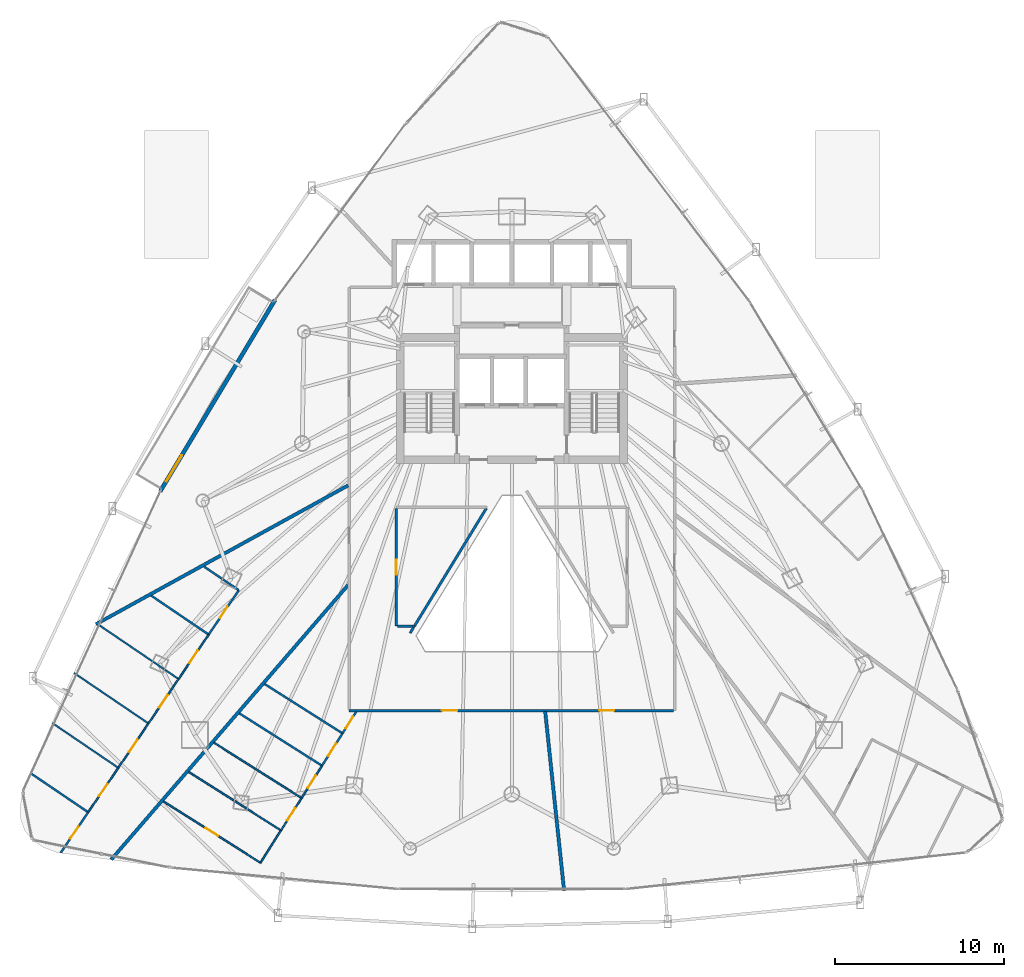
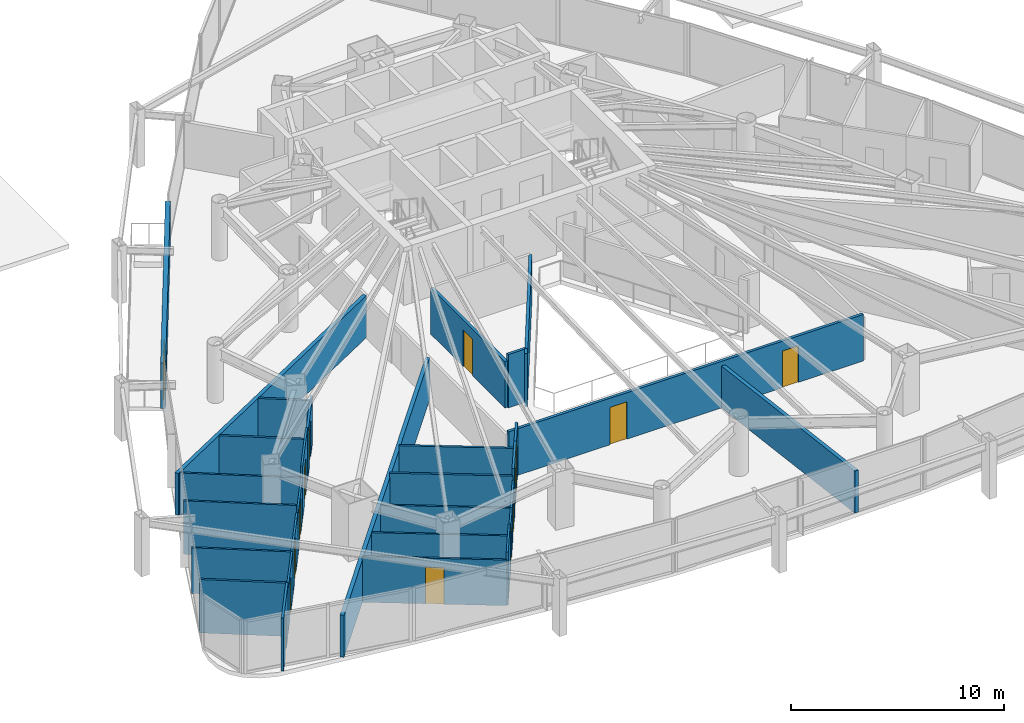
# One storey, part 29 of 35: 31 walls, 15 doors, 15 openings.
"""IFC4 building model written with IfcOpenShell, lengths in metres."""

import ifcopenshell
import ifcopenshell.guid

model = None  # the IFC model being written
_history = None  # IfcOwnerHistory: only IFC2X3 demands one
_inside = {}  # id of a spatial element -> (the spatial element, [elements in it])
_under = {}  # id of a project, library or spatial element -> (it, [spatial elements below it])
_declared = {}  # id of a project -> (the project, [libraries it declares])
_typed = {}  # id of a type object -> (the type object, [elements of that type])
_made_of = {}  # id of a material, layer set ... -> (it, [elements and type objects made of it])


def new_model(schema):
    """Start an empty IFC model of exactly this schema.

    Asked for "IFC4X3", IfcOpenShell would pick the latest addendum, in which some entities
    have other attributes; the version numbers below select the first issue.
    IFC2X3 requires an IfcOwnerHistory on every rooted entity: one is made here for all.
    """
    global model, _history
    if schema == "IFC4X3":
        model = ifcopenshell.file(schema_version=(4, 3, 0, 0))
    else:
        model = ifcopenshell.file(schema=schema)
    _inside.clear()
    _under.clear()
    _declared.clear()
    _typed.clear()
    _made_of.clear()
    _history = None
    if model.schema == "IFC2X3":
        org = make("IfcOrganization", Name="unknown")
        user = make(
            "IfcPersonAndOrganization",
            ThePerson=make("IfcPerson", FamilyName="unknown"),
            TheOrganization=org,
        )
        app = make(
            "IfcApplication",
            ApplicationDeveloper=org,
            Version="unknown",
            ApplicationFullName="unknown",
            ApplicationIdentifier="unknown",
        )
        _history = make(
            "IfcOwnerHistory",
            OwningUser=user,
            OwningApplication=app,
            ChangeAction="ADDED",
            CreationDate=0,
        )
    return model


def make(cls, **values):
    """One entity of the class cls with the attributes given. An attribute that is None is left unset."""
    return model.create_entity(
        cls, **{name: value for name, value in values.items() if value is not None}
    )


def rooted(cls, **values):
    """An entity with a GlobalId (a new one), such as an element, a storey or a relation."""
    return make(cls, GlobalId=ifcopenshell.guid.new(), OwnerHistory=_history, **values)


def si_unit(unit_type, name, prefix=None):
    """IfcSIUnit, for example si_unit("LENGTHUNIT", "METRE", prefix="MILLI")."""
    return make("IfcSIUnit", UnitType=unit_type, Prefix=prefix, Name=name)


def assignment(units):
    """IfcUnitAssignment: the units of a project."""
    return None if units is None else make("IfcUnitAssignment", Units=units)


def point(xyz):
    """IfcCartesianPoint."""
    return None if xyz is None else make("IfcCartesianPoint", Coordinates=xyz)


def direction(xyz):
    """IfcDirection."""
    return None if xyz is None else make("IfcDirection", DirectionRatios=xyz)


def frame(location, z_axis=None, x_axis=None):
    """IfcAxis2Placement3D, a coordinate frame: its origin and axes. An axis left out is left unset."""
    return make(
        "IfcAxis2Placement3D",
        Location=point(location),
        Axis=direction(z_axis),
        RefDirection=direction(x_axis),
    )


def frame_2d(location, x_axis=None):
    """IfcAxis2Placement2D, a coordinate frame in the plane: its origin and x axis."""
    return make(
        "IfcAxis2Placement2D", Location=point(location), RefDirection=direction(x_axis)
    )


def origin():
    """The frame at (0, 0, 0) with its axes left unset."""
    return frame((0.0, 0.0, 0.0))


def place(relative_to, where):
    """IfcLocalPlacement: puts the frame where relative to a parent placement (None: the world)."""
    return make(
        "IfcLocalPlacement", PlacementRelTo=relative_to, RelativePlacement=where
    )


def context(
    kind, dimensions, precision=None, world=None, true_north=None, identifier=None
):
    """IfcGeometricRepresentationContext, for example the 3D "Model" context."""
    return make(
        "IfcGeometricRepresentationContext",
        ContextIdentifier=identifier,
        ContextType=kind,
        CoordinateSpaceDimension=dimensions,
        Precision=precision,
        WorldCoordinateSystem=world,
        TrueNorth=true_north,
    )


def subcontext(parent, identifier, kind, view, scale=None):
    """IfcGeometricRepresentationSubContext, for example "Body" below "Model"."""
    return make(
        "IfcGeometricRepresentationSubContext",
        ContextIdentifier=identifier,
        ContextType=kind,
        ParentContext=parent,
        TargetScale=scale,
        TargetView=view,
    )


def project(units=None, contexts=None):
    """IfcProject with its units and contexts."""
    return rooted(
        "IfcProject",
        Name="project",
        RepresentationContexts=contexts,
        UnitsInContext=assignment(units),
    )


def spatial(cls, under=None, at=None, **own):
    """A site, building, storey or space (cls), placed at a placement, below another one or the project."""
    s = rooted(cls, ObjectPlacement=at, **own)
    if under is not None:
        _under.setdefault(under.id(), (under, []))[1].append(s)
    return s


def profile(cls, at=None, kind="AREA", **sizes):
    """A parametric profile (cls). Its sizes go by their IFC names, for example OverallWidth=200.0."""
    return make(cls, ProfileType=kind, Position=at, **sizes)


def rectangle(**sizes):
    """IfcRectangleProfileDef."""
    return profile("IfcRectangleProfileDef", **sizes)


def extrude(swept, where, along, depth):
    """IfcExtrudedAreaSolid: the profile swept, set in the frame where, extruded along a direction by depth."""
    return make(
        "IfcExtrudedAreaSolid",
        SweptArea=swept,
        Position=where,
        ExtrudedDirection=direction(along),
        Depth=depth,
    )


def shape(context_of_items, identifier, shape_type, items):
    """IfcShapeRepresentation: the items that make up one representation, for example the "Body"."""
    return make(
        "IfcShapeRepresentation",
        ContextOfItems=context_of_items,
        RepresentationIdentifier=identifier,
        RepresentationType=shape_type,
        Items=items,
    )


def material(Name=None, Category=None):
    """IfcMaterial."""
    return make("IfcMaterial", Name=Name, Category=Category)


def layer(
    of_material, thickness, ventilated=None, Name=None, Category=None, Priority=None
):
    """IfcMaterialLayer: one layer of a wall or slab, of a material (None: an air gap)."""
    return make(
        "IfcMaterialLayer",
        Material=of_material,
        LayerThickness=thickness,
        IsVentilated=ventilated,
        Name=Name,
        Category=Category,
        Priority=Priority,
    )


def layer_set(layers, Name=None):
    """IfcMaterialLayerSet."""
    return make("IfcMaterialLayerSet", MaterialLayers=layers, LayerSetName=Name)


def made_of(thing, what):
    """Note that an element or type object is made of a material, layer set ...; save() writes the relation."""
    if what is not None:
        _made_of.setdefault(what.id(), (what, []))[1].append(thing)
    return thing


def type_object(cls, material=None, **own):
    """A type object (cls), such as IfcWallType, which elements share."""
    return made_of(rooted(cls, **own), material)


def element(
    cls,
    number,
    at=None,
    inside=None,
    cuts=None,
    type_object=None,
    material=None,
    context=None,
    identifier="Body",
    shape_type=None,
    held_by="IfcProductDefinitionShape",
    body=None,
    shapes=None,
    **own,
):
    """One element of the class cls, such as IfcWall. Its Tag is "e" and its number.

    at: its placement. inside: the storey or other place that contains it. cuts: it is an
    opening in that element (IfcRelVoidsElement). A single representation is given by context,
    identifier, shape_type and body (its items); several are given by shapes. held_by: the class
    of the entity that holds the representations. save() writes the other relations.
    """
    e = rooted(cls, Tag="e%d" % number, ObjectPlacement=at, **own)
    if body is not None:
        shapes = [shape(context, identifier, shape_type, body)]
    if shapes is not None:
        e.Representation = make(held_by, Representations=shapes)
    if inside is not None:
        _inside.setdefault(inside.id(), (inside, []))[1].append(e)
    if cuts is not None:
        rooted(
            "IfcRelVoidsElement", RelatingBuildingElement=cuts, RelatedOpeningElement=e
        )
    if type_object is not None:
        _typed.setdefault(type_object.id(), (type_object, []))[1].append(e)
    return made_of(e, material)


def fill(opening, filler):
    """IfcRelFillsElement: the door or window that sits in an opening."""
    return rooted(
        "IfcRelFillsElement",
        RelatingOpeningElement=opening,
        RelatedBuildingElement=filler,
    )


def aggregate(whole, parts):
    """IfcRelAggregates: a whole, such as a stair, and the parts it consists of."""
    return rooted("IfcRelAggregates", RelatingObject=whole, RelatedObjects=parts)


def save(model, path):
    """Write the relations noted so far, then the file.

    IfcRelAggregates (storeys below a building ...), IfcRelContainedInSpatialStructure (elements
    in a storey), IfcRelDefinesByType, IfcRelAssociatesMaterial and IfcRelDeclares: one each for
    every whole, place, type object, material and project.
    """
    for whole, parts in _under.values():
        aggregate(whole, parts)
    for where, things in _inside.values():
        rooted(
            "IfcRelContainedInSpatialStructure",
            RelatedElements=things,
            RelatingStructure=where,
        )
    for kind, things in _typed.values():
        rooted("IfcRelDefinesByType", RelatedObjects=things, RelatingType=kind)
    for what, things in _made_of.values():
        rooted("IfcRelAssociatesMaterial", RelatedObjects=things, RelatingMaterial=what)
    for by, libraries in _declared.values():
        rooted("IfcRelDeclares", RelatingContext=by, RelatedDefinitions=libraries)
    model.write(path)


model = new_model("IFC4")

# Units and contexts
model_context = context("Model", 3, precision=1e-05, world=origin(), true_north=direction((0.0, 1.0)))
body_context = subcontext(model_context, "Body", "Model", "MODEL_VIEW")
ifc_project = project(units=[si_unit("LENGTHUNIT", "METRE"), si_unit("AREAUNIT", "SQUARE_METRE"), si_unit("VOLUMEUNIT", "CUBIC_METRE"), si_unit("PLANEANGLEUNIT", "RADIAN"), si_unit("MASSUNIT", "GRAM", prefix="KILO")], contexts=[model_context])

# Site, building, storey
site_placement = place(None, origin())
site = spatial("IfcSite", under=ifc_project, at=site_placement, CompositionType="ELEMENT")
building_placement = place(site_placement, origin())
building = spatial("IfcBuilding", under=site, at=building_placement, Name="Orvanel Arch Residences", CompositionType="ELEMENT")
storey_placement = place(building_placement, frame((0.0, 0.0, 26.89990234375)))
storey = spatial("IfcBuildingStorey", under=building, at=storey_placement, Name="L06", CompositionType="ELEMENT", Elevation=26.89990234375)

# Wall, opening, door
ifc_material_1 = material(Name="Precast concrete N50 (50 MPa)", Category="concrete")
ifc_layer_1 = layer(ifc_material_1, 0.239990234375)
ifc_layer_set_1 = layer_set([ifc_layer_1], Name="Precast concrete N50 (50 MPa)")
wall_type_1 = type_object("IfcWallType", Name="EW-BAL-240", PredefinedType="SOLIDWALL", material=ifc_layer_set_1)
wall_1_placement = place(storey_placement, frame((18.95703125, 36.159912109375, 0.0), z_axis=(0.0, 0.0, 1.0), x_axis=(-0.51435482044, -0.857577470955, 0.0)))
wall_1 = element("IfcWall", 1, at=wall_1_placement, inside=storey, type_object=wall_type_1, Name="L06 Balcony Threshold Wall Face 1", PredefinedType="SOLIDWALL", context=body_context, shape_type="SweptSolid", body=[
    extrude(rectangle(XDim=13.24755859375, YDim=0.239990234375, at=frame_2d((6.623779296875, 0.0))), origin(), (0.0, 0.0, 1.0), 2.6240234375),
])
opening_1_placement = place(wall_1_placement, frame((10.75, 0.0, 0.0)))
opening_1 = element("IfcOpeningElement", 2, at=opening_1_placement, cuts=wall_1, Name="Opening DB-180", PredefinedType="OPENING", context=body_context, shape_type="SweptSolid", body=[
    extrude(rectangle(XDim=1.800048828125, YDim=2.199951171875, at=frame_2d((0.89990234375, 1.10009765625))), frame((0.0, 0.1298828125, 0.0), z_axis=(0.0, -1.0, 0.0), x_axis=(1.0, 0.0, 0.0)), (0.0, 0.0, 1.0), 0.260009765625),
])
ifc_material_2 = material(Name="Bronze-anodised aluminium AA6063-T6", Category="aluminium")
door_type_1 = type_object("IfcDoorType", Name="DR-BAL-1800", OperationType="NOTDEFINED", PredefinedType="DOOR", material=ifc_material_2)
door_1_placement = place(opening_1_placement, origin())
door_1 = element("IfcDoor", 3, at=door_1_placement, inside=storey, type_object=door_type_1, Name="DR-L06-BAL-F1 L06 Planted Balcony Access Door Face 1", OperationType="SINGLE_SWING_RIGHT", OverallHeight=2.199951171875, OverallWidth=1.800048828125, PredefinedType="DOOR", context=body_context, shape_type="SweptSolid", body=[
    extrude(rectangle(XDim=1.800048828125, YDim=2.199951171875, at=frame_2d((0.89990234375, 1.10009765625))), frame((0.0, 0.02490234375, 0.0), z_axis=(0.0, -1.0, 0.0), x_axis=(1.0, 0.0, 0.0)), (0.0, 0.0, 1.0), 0.050048828125),
])
fill(opening_1, door_1)

# Wall, openings, doors
ifc_material_3 = material(Name="Fire-rated plasterboard lined steel stud partition", Category="steel")
ifc_layer_2 = layer(ifc_material_3, 0.14990234375)
ifc_layer_set_2 = layer_set([ifc_layer_2], Name="Fire-rated plasterboard lined steel stud partition")
wall_type_2 = type_object("IfcWallType", Name="W-COR-150", PredefinedType="PARTITIONING", material=ifc_layer_set_2)
wall_2_placement = place(storey_placement, frame((42.590087890625, 11.800048828125, 0.0), z_axis=(0.0, 0.0, 1.0), x_axis=(-1.0, 0.0, 0.0)))
wall_2 = element("IfcWall", 4, at=wall_2_placement, inside=storey, type_object=wall_type_2, Name="L06 Corridor Fire-Rated Partition", PredefinedType="PARTITIONING", context=body_context, shape_type="SweptSolid", body=[
    extrude(rectangle(XDim=19.239990234375, YDim=0.14990234375, at=frame_2d((9.6201171875, 0.0))), origin(), (0.0, 0.0, 1.0), 2.669189453125),
])
opening_2_placement = place(wall_2_placement, frame((12.818115234375, 0.0, 0.0)))
opening_2 = element("IfcOpeningElement", 5, at=opening_2_placement, cuts=wall_2, Name="Opening DA-092", PredefinedType="OPENING", context=body_context, shape_type="SweptSolid", body=[
    extrude(rectangle(XDim=0.919921875, YDim=2.14990234375, at=frame_2d((0.4599609375, 1.074951171875))), frame((0.0, 0.0849609375, 0.0), z_axis=(0.0, -1.0, 0.0), x_axis=(1.0, 0.0, 0.0)), (0.0, 0.0, 1.0), 0.169921875),
])
opening_3_placement = place(wall_2_placement, frame((3.51904296875, 0.0, 0.0)))
opening_3 = element("IfcOpeningElement", 6, at=opening_3_placement, cuts=wall_2, Name="Opening DI-088", PredefinedType="OPENING", context=body_context, shape_type="SweptSolid", body=[
    extrude(rectangle(XDim=0.8798828125, YDim=2.10009765625, at=frame_2d((0.43994140625, 1.050048828125))), frame((0.0, 0.0849609375, 0.0), z_axis=(0.0, -1.0, 0.0), x_axis=(1.0, 0.0, 0.0)), (0.0, 0.0, 1.0), 0.169921875),
])
ifc_material_4 = material(Name="Solid-core European oak veneer fire door leaf", Category="wood")
door_type_2 = type_object("IfcDoorType", Name="DR-APT-920", OperationType="NOTDEFINED", PredefinedType="DOOR", material=ifc_material_4)
door_2_placement = place(opening_2_placement, origin())
door_2 = element("IfcDoor", 7, at=door_2_placement, inside=storey, type_object=door_type_2, Name="DR-L06-A-ENT L06 Studio A Entrance Door", OperationType="SINGLE_SWING_RIGHT", OverallHeight=2.14990234375, OverallWidth=0.919921875, PredefinedType="DOOR", context=body_context, shape_type="SweptSolid", body=[
    extrude(rectangle(XDim=0.919921875, YDim=2.14990234375, at=frame_2d((0.4599609375, 1.074951171875))), frame((0.0, 0.02490234375, 0.0), z_axis=(0.0, -1.0, 0.0), x_axis=(1.0, 0.0, 0.0)), (0.0, 0.0, 1.0), 0.050048828125),
])
fill(opening_2, door_2)
door_type_3 = type_object("IfcDoorType", Name="DR-INT-880", OperationType="NOTDEFINED", PredefinedType="DOOR", material=ifc_material_4)
door_3_placement = place(opening_3_placement, origin())
door_3 = element("IfcDoor", 8, at=door_3_placement, inside=storey, type_object=door_type_3, Name="DR-L06-SHRD-FB4 L06 Co-Working Study Office D Door", OperationType="SINGLE_SWING_LEFT", OverallHeight=2.10009765625, OverallWidth=0.8798828125, PredefinedType="DOOR", context=body_context, shape_type="SweptSolid", body=[
    extrude(rectangle(XDim=0.8798828125, YDim=2.10009765625, at=frame_2d((0.43994140625, 1.050048828125))), frame((0.0, 0.02490234375, 0.0), z_axis=(0.0, -1.0, 0.0), x_axis=(1.0, 0.0, 0.0)), (0.0, 0.0, 1.0), 0.050048828125),
])
fill(opening_3, door_3)

# Wall, opening, door
wall_3_placement = place(storey_placement, frame((26.14990234375, 23.7900390625, 0.0), z_axis=(0.0, 0.0, 1.0), x_axis=(0.0, -1.0, 0.0)))
wall_3 = element("IfcWall", 9, at=wall_3_placement, inside=storey, type_object=wall_type_2, Name="L06 Corridor Fire-Rated Partition", PredefinedType="PARTITIONING", context=body_context, shape_type="SweptSolid", body=[
    extrude(rectangle(XDim=6.989990234375, YDim=0.14990234375, at=frame_2d((3.4951171875, 0.0))), origin(), (0.0, 0.0, 1.0), 2.669189453125),
])
opening_4_placement = place(wall_3_placement, frame((3.054931640625, 0.0, 0.0)))
opening_4 = element("IfcOpeningElement", 10, at=opening_4_placement, cuts=wall_3, Name="Opening DI-088", PredefinedType="OPENING", context=body_context, shape_type="SweptSolid", body=[
    extrude(rectangle(XDim=0.8798828125, YDim=2.10009765625, at=frame_2d((0.43994140625, 1.050048828125))), frame((0.0, 0.0849609375, 0.0), z_axis=(0.0, -1.0, 0.0), x_axis=(1.0, 0.0, 0.0)), (0.0, 0.0, 1.0), 0.169921875),
])
door_4_placement = place(opening_4_placement, origin())
door_4 = element("IfcDoor", 11, at=door_4_placement, inside=storey, type_object=door_type_3, Name="DR-L06-SHRD-FB9 L06 Co-Working Study Office I Door", OperationType="SINGLE_SWING_LEFT", OverallHeight=2.10009765625, OverallWidth=0.8798828125, PredefinedType="DOOR", context=body_context, shape_type="SweptSolid", body=[
    extrude(rectangle(XDim=0.8798828125, YDim=2.10009765625, at=frame_2d((0.43994140625, 1.050048828125))), frame((0.0, 0.02490234375, 0.0), z_axis=(0.0, -1.0, 0.0), x_axis=(1.0, 0.0, 0.0)), (0.0, 0.0, 1.0), 0.050048828125),
])
fill(opening_4, door_4)

# Walls
wall_4_placement = place(storey_placement, frame((26.2099609375, 16.800048828125, 0.0), z_axis=(0.0, 0.0, 1.0), x_axis=(1.0, 0.0, 0.0)))
element("IfcWall", 12, at=wall_4_placement, inside=storey, type_object=wall_type_2, Name="L06 Corridor Fire-Rated Partition", PredefinedType="PARTITIONING", context=body_context, shape_type="SweptSolid", body=[
    extrude(rectangle(XDim=1.0029296875, YDim=0.14990234375, at=frame_2d((0.50146484375, 0.0))), origin(), (0.0, 0.0, 1.0), 3.06005859375),
])
wall_5_placement = place(storey_placement, frame((27.177001953125, 16.739990234375, 0.0), z_axis=(0.0, 0.0, 1.0), x_axis=(-0.513515835534, -0.858080116688, 0.0)))
element("IfcWall", 13, at=wall_5_placement, inside=storey, type_object=wall_type_2, Name="L06 Corridor Fire-Rated Partition", PredefinedType="PARTITIONING", context=body_context, shape_type="SweptSolid", body=[
    extrude(rectangle(XDim=0.403076171875, YDim=0.14990234375, at=frame_2d((0.20166015625, 0.0))), origin(), (0.0, 0.0, 1.0), 3.06005859375),
])
wall_6_placement = place(storey_placement, frame((27.212890625, 16.791015625, 0.0), z_axis=(0.0, 0.0, 1.0), x_axis=(0.521095914239, 0.853498124288, 0.0)))
element("IfcWall", 14, at=wall_6_placement, inside=storey, type_object=wall_type_2, Name="L06 Atrium Overlook Glazed Partition", PredefinedType="PARTITIONING", context=body_context, shape_type="SweptSolid", body=[
    extrude(rectangle(XDim=8.200439453125, YDim=0.14990234375, at=frame_2d((4.10009765625, 0.0))), origin(), (0.0, 0.0, 1.0), 2.669189453125),
])
ifc_layer_3 = layer(ifc_material_3, 0.199951171875)
ifc_layer_set_3 = layer_set([ifc_layer_3], Name="Fire-rated plasterboard lined steel stud partition")
wall_type_3 = type_object("IfcWallType", Name="W-DEM-200", PredefinedType="PARTITIONING", material=ifc_layer_set_3)
wall_7_placement = place(storey_placement, frame((9.239990234375, 2.958984375, 0.0), z_axis=(0.0, 0.0, 1.0), x_axis=(0.653213734957, 0.757173570896, 0.0)))
element("IfcWall", 15, at=wall_7_placement, inside=storey, type_object=wall_type_3, Name="L06 Inter-Tenancy Acoustic Demising Wall", PredefinedType="PARTITIONING", context=body_context, shape_type="SweptSolid", body=[
    extrude(rectangle(XDim=21.509033203125, YDim=0.199951171875, at=frame_2d((10.75439453125, 0.0))), origin(), (0.0, 0.0, 1.0), 2.4130859375),
])
wall_8_placement = place(storey_placement, frame((34.97900390625, 11.739990234375, 0.0), z_axis=(0.0, 0.0, 1.0), x_axis=(0.104910939681, -0.994481621115, 0.0)))
element("IfcWall", 16, at=wall_8_placement, inside=storey, type_object=wall_type_3, Name="L06 Inter-Tenancy Acoustic Demising Wall", PredefinedType="PARTITIONING", context=body_context, shape_type="SweptSolid", body=[
    extrude(rectangle(XDim=10.6767578125, YDim=0.199951171875, at=frame_2d((5.33837890625, 0.0))), origin(), (0.0, 0.0, 1.0), 2.4130859375),
])
wall_9_placement = place(storey_placement, frame((8.3310546875, 16.916015625, 0.0), z_axis=(0.0, 0.0, 1.0), x_axis=(0.875977946948, 0.482351154721, 0.0)))
element("IfcWall", 17, at=wall_9_placement, inside=storey, type_object=wall_type_3, Name="L06 Inter-Tenancy Acoustic Demising Wall", PredefinedType="PARTITIONING", context=body_context, shape_type="SweptSolid", body=[
    extrude(rectangle(XDim=17.076904296875, YDim=0.199951171875, at=frame_2d((8.53857421875, 0.0))), origin(), (0.0, 0.0, 1.0), 2.4130859375),
])

# Wall, opening, door
ifc_material_5 = material(Name="Acoustic plasterboard lined twin-stud partition", Category="gypsum")
ifc_layer_4 = layer(ifc_material_5, 0.10009765625)
ifc_layer_set_4 = layer_set([ifc_layer_4], Name="Acoustic plasterboard lined twin-stud partition")
wall_type_4 = type_object("IfcWallType", Name="W-INT-100", PredefinedType="PARTITIONING", material=ifc_layer_set_4)
wall_10_placement = place(storey_placement, frame((12.3349609375, 6.4169921875, 0.0), z_axis=(0.0, 0.0, 1.0), x_axis=(0.844634990869, -0.535342630657, 0.0)))
wall_10 = element("IfcWall", 18, at=wall_10_placement, inside=storey, type_object=wall_type_4, Name="L06 Studio A Internal Partition", PredefinedType="PARTITIONING", context=body_context, shape_type="SweptSolid", body=[
    extrude(rectangle(XDim=6.816162109375, YDim=0.10009765625, at=frame_2d((3.408203125, 0.0))), origin(), (0.0, 0.0, 1.0), 2.619140625),
])
opening_5_placement = place(wall_10_placement, frame((2.968017578125, 0.0, 0.0)))
opening_5 = element("IfcOpeningElement", 19, at=opening_5_placement, cuts=wall_10, Name="Opening DI-088", PredefinedType="OPENING", context=body_context, shape_type="SweptSolid", body=[
    extrude(rectangle(XDim=0.8798828125, YDim=2.10009765625, at=frame_2d((0.43994140625, 1.050048828125))), frame((0.0, 0.06005859375, 0.0), z_axis=(0.0, -1.0, 0.0), x_axis=(1.0, 0.0, 0.0)), (0.0, 0.0, 1.0), 0.1201171875),
])
door_5_placement = place(opening_5_placement, origin())
door_5 = element("IfcDoor", 20, at=door_5_placement, inside=storey, type_object=door_type_3, Name="DR-L06-A-OFC1 L06 Studio A Home Work Office 1 Door", OperationType="SINGLE_SWING_LEFT", OverallHeight=2.10009765625, OverallWidth=0.8798828125, PredefinedType="DOOR", context=body_context, shape_type="SweptSolid", body=[
    extrude(rectangle(XDim=0.8798828125, YDim=2.10009765625, at=frame_2d((0.43994140625, 1.050048828125))), frame((0.0, 0.02490234375, 0.0), z_axis=(0.0, -1.0, 0.0), x_axis=(1.0, 0.0, 0.0)), (0.0, 0.0, 1.0), 0.050048828125),
])
fill(opening_5, door_5)

# Wall
wall_11_placement = place(storey_placement, frame((18.092041015625, 2.76806640625, 0.0), z_axis=(0.0, 0.0, 1.0), x_axis=(0.535087860904, 0.844796414003, 0.0)))
element("IfcWall", 21, at=wall_11_placement, inside=storey, type_object=wall_type_4, Name="L06 Studio A Internal Partition", PredefinedType="PARTITIONING", context=body_context, shape_type="SweptSolid", body=[
    extrude(rectangle(XDim=2.272705078125, YDim=0.10009765625, at=frame_2d((1.13623046875, 0.0))), origin(), (0.0, 0.0, 1.0), 3.06005859375),
])

# Wall, opening, door
wall_12_placement = place(storey_placement, frame((19.30810546875, 4.68798828125, 0.0), z_axis=(0.0, 0.0, 1.0), x_axis=(0.535512120593, 0.844527541705, 0.0)))
wall_12 = element("IfcWall", 22, at=wall_12_placement, inside=storey, type_object=wall_type_4, Name="L06 Studio A Internal Partition", PredefinedType="PARTITIONING", context=body_context, shape_type="SweptSolid", body=[
    extrude(rectangle(XDim=2.272216796875, YDim=0.10009765625, at=frame_2d((1.13623046875, 0.0))), origin(), (0.0, 0.0, 1.0), 2.4130859375),
])
opening_6_placement = place(wall_12_placement, frame((0.696044921875, 0.0, 0.0)))
opening_6 = element("IfcOpeningElement", 23, at=opening_6_placement, cuts=wall_12, Name="Opening DI-088", PredefinedType="OPENING", context=body_context, shape_type="SweptSolid", body=[
    extrude(rectangle(XDim=0.8798828125, YDim=2.10009765625, at=frame_2d((0.43994140625, 1.050048828125))), frame((0.0, 0.06005859375, 0.0), z_axis=(0.0, -1.0, 0.0), x_axis=(1.0, 0.0, 0.0)), (0.0, 0.0, 1.0), 0.1201171875),
])
door_6_placement = place(opening_6_placement, origin())
door_6 = element("IfcDoor", 24, at=door_6_placement, inside=storey, type_object=door_type_3, Name="DR-L06-A-OFC2 L06 Studio A Home Work Office 2 Door", OperationType="SINGLE_SWING_LEFT", OverallHeight=2.10009765625, OverallWidth=0.8798828125, PredefinedType="DOOR", context=body_context, shape_type="SweptSolid", body=[
    extrude(rectangle(XDim=0.8798828125, YDim=2.10009765625, at=frame_2d((0.43994140625, 1.050048828125))), frame((0.0, 0.02490234375, 0.0), z_axis=(0.0, -1.0, 0.0), x_axis=(1.0, 0.0, 0.0)), (0.0, 0.0, 1.0), 0.050048828125),
])
fill(opening_6, door_6)

wall_13_placement = place(storey_placement, frame((20.52490234375, 6.60693359375, 0.0), z_axis=(0.0, 0.0, 1.0), x_axis=(0.53503930364, 0.844827167864, 0.0)))
wall_13 = element("IfcWall", 25, at=wall_13_placement, inside=storey, type_object=wall_type_4, Name="L06 Studio A Internal Partition", PredefinedType="PARTITIONING", context=body_context, shape_type="SweptSolid", body=[
    extrude(rectangle(XDim=2.27294921875, YDim=0.10009765625, at=frame_2d((1.136474609375, 0.0))), origin(), (0.0, 0.0, 1.0), 2.4130859375),
])
opening_7_placement = place(wall_13_placement, frame((0.696044921875, 0.0, 0.0)))
opening_7 = element("IfcOpeningElement", 26, at=opening_7_placement, cuts=wall_13, Name="Opening DI-088", PredefinedType="OPENING", context=body_context, shape_type="SweptSolid", body=[
    extrude(rectangle(XDim=0.8798828125, YDim=2.10009765625, at=frame_2d((0.43994140625, 1.050048828125))), frame((0.0, 0.06005859375, 0.0), z_axis=(0.0, -1.0, 0.0), x_axis=(1.0, 0.0, 0.0)), (0.0, 0.0, 1.0), 0.1201171875),
])
door_7_placement = place(opening_7_placement, origin())
door_7 = element("IfcDoor", 27, at=door_7_placement, inside=storey, type_object=door_type_3, Name="DR-L06-A-AME3 L06 Studio A Resident Reading Library 1 Door", OperationType="SINGLE_SWING_LEFT", OverallHeight=2.10009765625, OverallWidth=0.8798828125, PredefinedType="DOOR", context=body_context, shape_type="SweptSolid", body=[
    extrude(rectangle(XDim=0.8798828125, YDim=2.10009765625, at=frame_2d((0.43994140625, 1.050048828125))), frame((0.0, 0.02490234375, 0.0), z_axis=(0.0, -1.0, 0.0), x_axis=(1.0, 0.0, 0.0)), (0.0, 0.0, 1.0), 0.050048828125),
])
fill(opening_7, door_7)

# Walls
wall_14_placement = place(storey_placement, frame((13.8359375, 8.156005859375, 0.0), z_axis=(0.0, 0.0, 1.0), x_axis=(0.844657780298, -0.535306673023, 0.0)))
element("IfcWall", 28, at=wall_14_placement, inside=storey, type_object=wall_type_4, Name="L06 Studio A Internal Partition", PredefinedType="PARTITIONING", context=body_context, shape_type="SweptSolid", body=[
    extrude(rectangle(XDim=6.478515625, YDim=0.10009765625, at=frame_2d((3.2392578125, 0.0))), origin(), (0.0, 0.0, 1.0), 2.4130859375),
])
wall_15_placement = place(storey_placement, frame((15.3359375, 9.89501953125, 0.0), z_axis=(0.0, 0.0, 1.0), x_axis=(0.844690904033, -0.535254403666, 0.0)))
element("IfcWall", 29, at=wall_15_placement, inside=storey, type_object=wall_type_4, Name="L06 Studio A Internal Partition", PredefinedType="PARTITIONING", context=body_context, shape_type="SweptSolid", body=[
    extrude(rectangle(XDim=6.14306640625, YDim=0.10009765625, at=frame_2d((3.071533203125, 0.0))), origin(), (0.0, 0.0, 1.0), 2.4130859375),
])

# Wall, opening, door
wall_16_placement = place(storey_placement, frame((11.447021484375, 11.035888671875, 0.0), z_axis=(0.0, 0.0, 1.0), x_axis=(0.561180574224, 0.827693399221, 0.0)))
wall_16 = element("IfcWall", 30, at=wall_16_placement, inside=storey, type_object=wall_type_4, Name="L06 Flat C Internal Partition", PredefinedType="PARTITIONING", context=body_context, shape_type="SweptSolid", body=[
    extrude(rectangle(XDim=3.182373046875, YDim=0.10009765625, at=frame_2d((1.59130859375, 0.0))), origin(), (0.0, 0.0, 1.0), 2.4130859375),
])
opening_8_placement = place(wall_16_placement, frame((1.15087890625, 0.0, 0.0)))
opening_8 = element("IfcOpeningElement", 31, at=opening_8_placement, cuts=wall_16, Name="Opening DI-088", PredefinedType="OPENING", context=body_context, shape_type="SweptSolid", body=[
    extrude(rectangle(XDim=0.8798828125, YDim=2.10009765625, at=frame_2d((0.43994140625, 1.050048828125))), frame((0.0, 0.06005859375, 0.0), z_axis=(0.0, -1.0, 0.0), x_axis=(1.0, 0.0, 0.0)), (0.0, 0.0, 1.0), 0.1201171875),
])
door_8_placement = place(opening_8_placement, origin())
door_8 = element("IfcDoor", 32, at=door_8_placement, inside=storey, type_object=door_type_3, Name="DR-L06-C-BED1 L06 Flat C Bedroom 1 Door", OperationType="SINGLE_SWING_LEFT", OverallHeight=2.10009765625, OverallWidth=0.8798828125, PredefinedType="DOOR", context=body_context, shape_type="SweptSolid", body=[
    extrude(rectangle(XDim=0.8798828125, YDim=2.10009765625, at=frame_2d((0.43994140625, 1.050048828125))), frame((0.0, 0.02490234375, 0.0), z_axis=(0.0, -1.0, 0.0), x_axis=(1.0, 0.0, 0.0)), (0.0, 0.0, 1.0), 0.050048828125),
])
fill(opening_8, door_8)

wall_17_placement = place(storey_placement, frame((9.659912109375, 8.402099609375, 0.0), z_axis=(0.0, 0.0, 1.0), x_axis=(0.561478909132, 0.827491048048, 0.0)))
wall_17 = element("IfcWall", 33, at=wall_17_placement, inside=storey, type_object=wall_type_4, Name="L06 Flat C Internal Partition", PredefinedType="PARTITIONING", context=body_context, shape_type="SweptSolid", body=[
    extrude(rectangle(XDim=3.182861328125, YDim=0.10009765625, at=frame_2d((1.59130859375, 0.0))), origin(), (0.0, 0.0, 1.0), 2.619140625),
])
opening_9_placement = place(wall_17_placement, frame((1.15087890625, 0.0, 0.0)))
opening_9 = element("IfcOpeningElement", 34, at=opening_9_placement, cuts=wall_17, Name="Opening DI-088", PredefinedType="OPENING", context=body_context, shape_type="SweptSolid", body=[
    extrude(rectangle(XDim=0.8798828125, YDim=2.10009765625, at=frame_2d((0.43994140625, 1.050048828125))), frame((0.0, 0.06005859375, 0.0), z_axis=(0.0, -1.0, 0.0), x_axis=(1.0, 0.0, 0.0)), (0.0, 0.0, 1.0), 0.1201171875),
])
door_9_placement = place(opening_9_placement, origin())
door_9 = element("IfcDoor", 35, at=door_9_placement, inside=storey, type_object=door_type_3, Name="DR-L06-C-AME2 L06 Flat C Resident Reading Library 2 Door", OperationType="SINGLE_SWING_LEFT", OverallHeight=2.10009765625, OverallWidth=0.8798828125, PredefinedType="DOOR", context=body_context, shape_type="SweptSolid", body=[
    extrude(rectangle(XDim=0.8798828125, YDim=2.10009765625, at=frame_2d((0.43994140625, 1.050048828125))), frame((0.0, 0.02490234375, 0.0), z_axis=(0.0, -1.0, 0.0), x_axis=(1.0, 0.0, 0.0)), (0.0, 0.0, 1.0), 0.050048828125),
])
fill(opening_9, door_9)

wall_18_placement = place(storey_placement, frame((7.873046875, 5.76806640625, 0.0), z_axis=(0.0, 0.0, 1.0), x_axis=(0.561390746336, 0.827550862442, 0.0)))
wall_18 = element("IfcWall", 36, at=wall_18_placement, inside=storey, type_object=wall_type_4, Name="L06 Flat C Internal Partition", PredefinedType="PARTITIONING", context=body_context, shape_type="SweptSolid", body=[
    extrude(rectangle(XDim=3.182861328125, YDim=0.10009765625, at=frame_2d((1.59130859375, 0.0))), origin(), (0.0, 0.0, 1.0), 2.619140625),
])
opening_10_placement = place(wall_18_placement, frame((1.15087890625, 0.0, 0.0)))
opening_10 = element("IfcOpeningElement", 37, at=opening_10_placement, cuts=wall_18, Name="Opening DI-088", PredefinedType="OPENING", context=body_context, shape_type="SweptSolid", body=[
    extrude(rectangle(XDim=0.8798828125, YDim=2.10009765625, at=frame_2d((0.43994140625, 1.050048828125))), frame((0.0, 0.06005859375, 0.0), z_axis=(0.0, -1.0, 0.0), x_axis=(1.0, 0.0, 0.0)), (0.0, 0.0, 1.0), 0.1201171875),
])
door_10_placement = place(opening_10_placement, origin())
door_10 = element("IfcDoor", 38, at=door_10_placement, inside=storey, type_object=door_type_3, Name="DR-L06-C-DIN3 L06 Flat C Dining Room 3 Door", OperationType="SINGLE_SWING_LEFT", OverallHeight=2.10009765625, OverallWidth=0.8798828125, PredefinedType="DOOR", context=body_context, shape_type="SweptSolid", body=[
    extrude(rectangle(XDim=0.8798828125, YDim=2.10009765625, at=frame_2d((0.43994140625, 1.050048828125))), frame((0.0, 0.02490234375, 0.0), z_axis=(0.0, -1.0, 0.0), x_axis=(1.0, 0.0, 0.0)), (0.0, 0.0, 1.0), 0.050048828125),
])
fill(opening_10, door_10)

wall_19_placement = place(storey_placement, frame((13.23291015625, 13.669921875, 0.0), z_axis=(0.0, 0.0, 1.0), x_axis=(0.561443272398, 0.827515227582, 0.0)))
wall_19 = element("IfcWall", 39, at=wall_19_placement, inside=storey, type_object=wall_type_4, Name="L06 Flat C Internal Partition", PredefinedType="PARTITIONING", context=body_context, shape_type="SweptSolid", body=[
    extrude(rectangle(XDim=3.18310546875, YDim=0.10009765625, at=frame_2d((1.591552734375, 0.0))), origin(), (0.0, 0.0, 1.0), 3.06005859375),
])
opening_11_placement = place(wall_19_placement, frame((1.15087890625, 0.0, 0.0)))
opening_11 = element("IfcOpeningElement", 40, at=opening_11_placement, cuts=wall_19, Name="Opening DI-088", PredefinedType="OPENING", context=body_context, shape_type="SweptSolid", body=[
    extrude(rectangle(XDim=0.8798828125, YDim=2.10009765625, at=frame_2d((0.43994140625, 1.050048828125))), frame((0.0, 0.06005859375, 0.0), z_axis=(0.0, -1.0, 0.0), x_axis=(1.0, 0.0, 0.0)), (0.0, 0.0, 1.0), 0.1201171875),
])
door_11_placement = place(opening_11_placement, origin())
door_11 = element("IfcDoor", 41, at=door_11_placement, inside=storey, type_object=door_type_3, Name="DR-L06-C-DIN4 L06 Flat C Dining Room 4 Door", OperationType="SINGLE_SWING_LEFT", OverallHeight=2.10009765625, OverallWidth=0.8798828125, PredefinedType="DOOR", context=body_context, shape_type="SweptSolid", body=[
    extrude(rectangle(XDim=0.8798828125, YDim=2.10009765625, at=frame_2d((0.43994140625, 1.050048828125))), frame((0.0, 0.02490234375, 0.0), z_axis=(0.0, -1.0, 0.0), x_axis=(1.0, 0.0, 0.0)), (0.0, 0.0, 1.0), 0.050048828125),
])
fill(opening_11, door_11)

# Walls
wall_20_placement = place(storey_placement, frame((11.447021484375, 11.035888671875, 0.0), z_axis=(0.0, 0.0, 1.0), x_axis=(-0.827600351797, 0.561317786735, 0.0)))
element("IfcWall", 42, at=wall_20_placement, inside=storey, type_object=wall_type_4, Name="L06 Flat C Internal Partition", PredefinedType="PARTITIONING", context=body_context, shape_type="SweptSolid", body=[
    extrude(rectangle(XDim=5.332275390625, YDim=0.10009765625, at=frame_2d((2.666015625, 0.0))), origin(), (0.0, 0.0, 1.0), 3.06005859375),
])
wall_21_placement = place(storey_placement, frame((8.47509765625, 16.89794921875, 0.0), z_axis=(0.0, 0.0, 1.0), x_axis=(0.827515231239, -0.561443267007, 0.0)))
element("IfcWall", 43, at=wall_21_placement, inside=storey, type_object=wall_type_4, Name="L06 Flat C Internal Partition", PredefinedType="PARTITIONING", context=body_context, shape_type="SweptSolid", body=[
    extrude(rectangle(XDim=5.74951171875, YDim=0.10009765625, at=frame_2d((2.874755859375, 0.0))), origin(), (0.0, 0.0, 1.0), 2.4130859375),
])
wall_22_placement = place(storey_placement, frame((9.659912109375, 8.402099609375, 0.0), z_axis=(0.0, 0.0, 1.0), x_axis=(-0.827540801305, 0.561405577257, 0.0)))
element("IfcWall", 44, at=wall_22_placement, inside=storey, type_object=wall_type_4, Name="L06 Flat C Internal Partition", PredefinedType="PARTITIONING", context=body_context, shape_type="SweptSolid", body=[
    extrude(rectangle(XDim=4.734375, YDim=0.10009765625, at=frame_2d((2.3671875, 0.0))), origin(), (0.0, 0.0, 1.0), 2.619140625),
])

# Wall, opening, door
ifc_layer_5 = layer(ifc_material_5, 0.1201171875)
ifc_layer_set_5 = layer_set([ifc_layer_5], Name="Acoustic plasterboard lined twin-stud partition")
wall_type_5 = type_object("IfcWallType", Name="W-WET-120", PredefinedType="PARTITIONING", material=ifc_layer_set_5)
wall_23_placement = place(storey_placement, frame((22.9580078125, 10.446044921875, 0.0), z_axis=(0.0, 0.0, 1.0), x_axis=(0.535317457649, 0.844650945383, 0.0)))
wall_23 = element("IfcWall", 45, at=wall_23_placement, inside=storey, type_object=wall_type_5, Name="L06 Studio A Bathroom Partition", PredefinedType="PARTITIONING", context=body_context, shape_type="SweptSolid", body=[
    extrude(rectangle(XDim=1.531982421875, YDim=0.1201171875, at=frame_2d((0.76611328125, 0.0))), origin(), (0.0, 0.0, 1.0), 3.06005859375),
])
opening_12_placement = place(wall_23_placement, frame((0.35595703125, 0.0, 0.0)))
opening_12 = element("IfcOpeningElement", 46, at=opening_12_placement, cuts=wall_23, Name="Opening DW-082", PredefinedType="OPENING", context=body_context, shape_type="SweptSolid", body=[
    extrude(rectangle(XDim=0.820068359375, YDim=2.10009765625, at=frame_2d((0.41015625, 1.050048828125))), frame((0.0, 0.070068359375, 0.0), z_axis=(0.0, -1.0, 0.0), x_axis=(1.0, 0.0, 0.0)), (0.0, 0.0, 1.0), 0.14013671875),
])
door_type_4 = type_object("IfcDoorType", Name="DR-WET-820", OperationType="NOTDEFINED", PredefinedType="DOOR", material=ifc_material_4)
door_12_placement = place(opening_12_placement, origin())
door_12 = element("IfcDoor", 47, at=door_12_placement, inside=storey, type_object=door_type_4, Name="DR-L06-A-BATH L06 Studio A Bathroom Door", OperationType="SINGLE_SWING_RIGHT", OverallHeight=2.10009765625, OverallWidth=0.820068359375, PredefinedType="DOOR", context=body_context, shape_type="SweptSolid", body=[
    extrude(rectangle(XDim=0.820068359375, YDim=2.10009765625, at=frame_2d((0.41015625, 1.050048828125))), frame((0.0, 0.02490234375, 0.0), z_axis=(0.0, -1.0, 0.0), x_axis=(1.0, 0.0, 0.0)), (0.0, 0.0, 1.0), 0.050048828125),
])
fill(opening_12, door_12)

wall_24_placement = place(storey_placement, frame((21.740966796875, 8.527099609375, 0.0), z_axis=(0.0, 0.0, 1.0), x_axis=(0.535588747522, 0.844478947948, 0.0)))
wall_24 = element("IfcWall", 48, at=wall_24_placement, inside=storey, type_object=wall_type_5, Name="L06 Studio A Internal Partition", PredefinedType="PARTITIONING", context=body_context, shape_type="SweptSolid", body=[
    extrude(rectangle(XDim=2.2724609375, YDim=0.1201171875, at=frame_2d((1.13623046875, 0.0))), origin(), (0.0, 0.0, 1.0), 3.06005859375),
])
opening_13_placement = place(wall_24_placement, frame((0.696044921875, 0.0, 0.0)))
opening_13 = element("IfcOpeningElement", 49, at=opening_13_placement, cuts=wall_24, Name="Opening DI-088", PredefinedType="OPENING", context=body_context, shape_type="SweptSolid", body=[
    extrude(rectangle(XDim=0.8798828125, YDim=2.10009765625, at=frame_2d((0.43994140625, 1.050048828125))), frame((0.0, 0.070068359375, 0.0), z_axis=(0.0, -1.0, 0.0), x_axis=(1.0, 0.0, 0.0)), (0.0, 0.0, 1.0), 0.14013671875),
])
door_13_placement = place(opening_13_placement, origin())
door_13 = element("IfcDoor", 50, at=door_13_placement, inside=storey, type_object=door_type_3, Name="DR-L06-A-KIT L06 Studio A Kitchenette Door", OperationType="SINGLE_SWING_LEFT", OverallHeight=2.10009765625, OverallWidth=0.8798828125, PredefinedType="DOOR", context=body_context, shape_type="SweptSolid", body=[
    extrude(rectangle(XDim=0.8798828125, YDim=2.10009765625, at=frame_2d((0.43994140625, 1.050048828125))), frame((0.0, 0.02490234375, 0.0), z_axis=(0.0, -1.0, 0.0), x_axis=(1.0, 0.0, 0.0)), (0.0, 0.0, 1.0), 0.050048828125),
])
fill(opening_13, door_13)

# Walls
wall_25_placement = place(storey_placement, frame((22.9580078125, 10.446044921875, 0.0), z_axis=(0.0, 0.0, 1.0), x_axis=(-0.844661668189, 0.535300538289, 0.0)))
element("IfcWall", 51, at=wall_25_placement, inside=storey, type_object=wall_type_5, Name="L06 Studio A Bathroom Partition", PredefinedType="PARTITIONING", context=body_context, shape_type="SweptSolid", body=[
    extrude(rectangle(XDim=5.4697265625, YDim=0.1201171875, at=frame_2d((2.73486328125, 0.0))), origin(), (0.0, 0.0, 1.0), 2.669189453125),
])
wall_26_placement = place(storey_placement, frame((21.740966796875, 8.527099609375, 0.0), z_axis=(0.0, 0.0, 1.0), x_axis=(-0.84466254328, 0.535299157463, 0.0)))
element("IfcWall", 52, at=wall_26_placement, inside=storey, type_object=wall_type_5, Name="L06 Studio A Internal Partition", PredefinedType="PARTITIONING", context=body_context, shape_type="SweptSolid", body=[
    extrude(rectangle(XDim=5.805908203125, YDim=0.1201171875, at=frame_2d((2.90283203125, 0.0))), origin(), (0.0, 0.0, 1.0), 2.669189453125),
])

# Wall, opening, door
wall_27_placement = place(storey_placement, frame((15.02001953125, 16.303955078125, 0.0), z_axis=(0.0, 0.0, 1.0), x_axis=(0.561248235284, 0.827647520621, 0.0)))
wall_27 = element("IfcWall", 53, at=wall_27_placement, inside=storey, type_object=wall_type_5, Name="L06 Flat C Bathroom Partition", PredefinedType="PARTITIONING", context=body_context, shape_type="SweptSolid", body=[
    extrude(rectangle(XDim=3.183837890625, YDim=0.1201171875, at=frame_2d((1.591796875, 0.0))), origin(), (0.0, 0.0, 1.0), 2.669189453125),
])
opening_14_placement = place(wall_27_placement, frame((1.181884765625, 0.0, 0.0)))
opening_14 = element("IfcOpeningElement", 54, at=opening_14_placement, cuts=wall_27, Name="Opening DW-082", PredefinedType="OPENING", context=body_context, shape_type="SweptSolid", body=[
    extrude(rectangle(XDim=0.820068359375, YDim=2.10009765625, at=frame_2d((0.41015625, 1.050048828125))), frame((0.0, 0.070068359375, 0.0), z_axis=(0.0, -1.0, 0.0), x_axis=(1.0, 0.0, 0.0)), (0.0, 0.0, 1.0), 0.14013671875),
])
door_14_placement = place(opening_14_placement, origin())
door_14 = element("IfcDoor", 55, at=door_14_placement, inside=storey, type_object=door_type_4, Name="DR-L06-C-BATH L06 Flat C Bathroom Door", OperationType="SINGLE_SWING_RIGHT", OverallHeight=2.10009765625, OverallWidth=0.820068359375, PredefinedType="DOOR", context=body_context, shape_type="SweptSolid", body=[
    extrude(rectangle(XDim=0.820068359375, YDim=2.10009765625, at=frame_2d((0.41015625, 1.050048828125))), frame((0.0, 0.02490234375, 0.0), z_axis=(0.0, -1.0, 0.0), x_axis=(1.0, 0.0, 0.0)), (0.0, 0.0, 1.0), 0.050048828125),
])
fill(opening_14, door_14)

# Wall
wall_28_placement = place(storey_placement, frame((16.806884765625, 18.93896484375, 0.0), z_axis=(0.0, 0.0, 1.0), x_axis=(-0.82760029168, 0.561317875372, 0.0)))
element("IfcWall", 56, at=wall_28_placement, inside=storey, type_object=wall_type_5, Name="L06 Flat C Bathroom Partition", PredefinedType="PARTITIONING", context=body_context, shape_type="SweptSolid", body=[
    extrude(rectangle(XDim=2.5048828125, YDim=0.1201171875, at=frame_2d((1.25244140625, 0.0))), origin(), (0.0, 0.0, 1.0), 2.4130859375),
])

# Wall, opening, door
wall_29_placement = place(storey_placement, frame((6.239990234375, 3.360107421875, 0.0), z_axis=(0.0, 0.0, 1.0), x_axis=(0.561285940218, 0.82762195072, 0.0)))
wall_29 = element("IfcWall", 57, at=wall_29_placement, inside=storey, type_object=wall_type_5, Name="L06 Flat C Internal Partition", PredefinedType="PARTITIONING", context=body_context, shape_type="SweptSolid", body=[
    extrude(rectangle(XDim=2.909423828125, YDim=0.1201171875, at=frame_2d((1.45458984375, 0.0))), origin(), (0.0, 0.0, 1.0), 3.06005859375),
])
opening_15_placement = place(wall_29_placement, frame((1.014892578125, 0.0, 0.0)))
opening_15 = element("IfcOpeningElement", 58, at=opening_15_placement, cuts=wall_29, Name="Opening DI-088", PredefinedType="OPENING", context=body_context, shape_type="SweptSolid", body=[
    extrude(rectangle(XDim=0.8798828125, YDim=2.10009765625, at=frame_2d((0.43994140625, 1.050048828125))), frame((0.0, 0.070068359375, 0.0), z_axis=(0.0, -1.0, 0.0), x_axis=(1.0, 0.0, 0.0)), (0.0, 0.0, 1.0), 0.14013671875),
])
door_15_placement = place(opening_15_placement, origin())
door_15 = element("IfcDoor", 59, at=door_15_placement, inside=storey, type_object=door_type_3, Name="DR-L06-C-KIT L06 Flat C Kitchen Door", OperationType="SINGLE_SWING_LEFT", OverallHeight=2.10009765625, OverallWidth=0.8798828125, PredefinedType="DOOR", context=body_context, shape_type="SweptSolid", body=[
    extrude(rectangle(XDim=0.8798828125, YDim=2.10009765625, at=frame_2d((0.43994140625, 1.050048828125))), frame((0.0, 0.02490234375, 0.0), z_axis=(0.0, -1.0, 0.0), x_axis=(1.0, 0.0, 0.0)), (0.0, 0.0, 1.0), 0.050048828125),
])
fill(opening_15, door_15)

# Walls
wall_30_placement = place(storey_placement, frame((15.02001953125, 16.303955078125, 0.0), z_axis=(0.0, 0.0, 1.0), x_axis=(-0.827573908317, 0.561356772715, 0.0)))
element("IfcWall", 60, at=wall_30_placement, inside=storey, type_object=wall_type_5, Name="L06 Flat C Bathroom Partition", PredefinedType="PARTITIONING", context=body_context, shape_type="SweptSolid", body=[
    extrude(rectangle(XDim=4.127685546875, YDim=0.1201171875, at=frame_2d((2.06396484375, 0.0))), origin(), (0.0, 0.0, 1.0), 2.4130859375),
])
wall_31_placement = place(storey_placement, frame((4.468994140625, 8.076904296875, 0.0), z_axis=(0.0, 0.0, 1.0), x_axis=(0.827594933475, -0.561325775362, 0.0)))
element("IfcWall", 61, at=wall_31_placement, inside=storey, type_object=wall_type_5, Name="L06 Flat C Internal Partition", PredefinedType="PARTITIONING", context=body_context, shape_type="SweptSolid", body=[
    extrude(rectangle(XDim=4.11328125, YDim=0.1201171875, at=frame_2d((2.056640625, 0.0))), origin(), (0.0, 0.0, 1.0), 3.06005859375),
])

save(model, "model.ifc")
